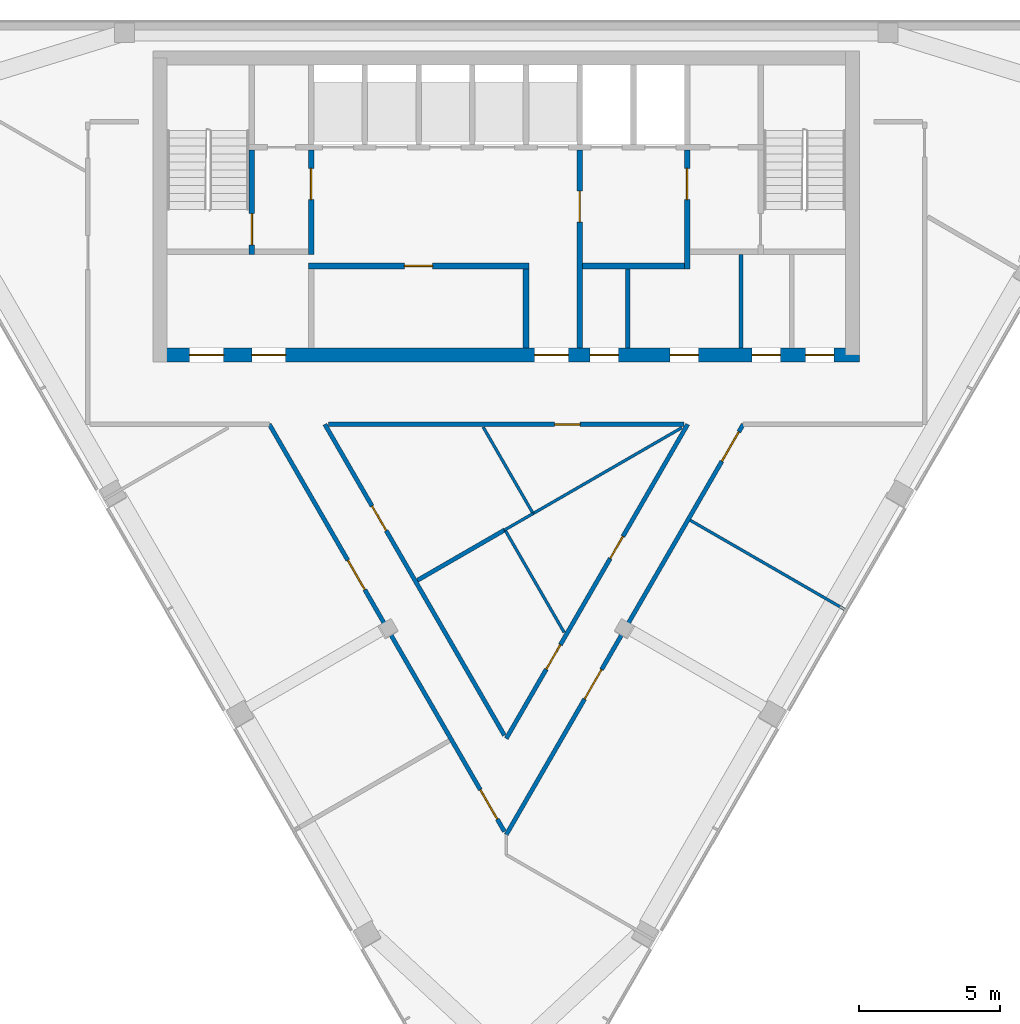
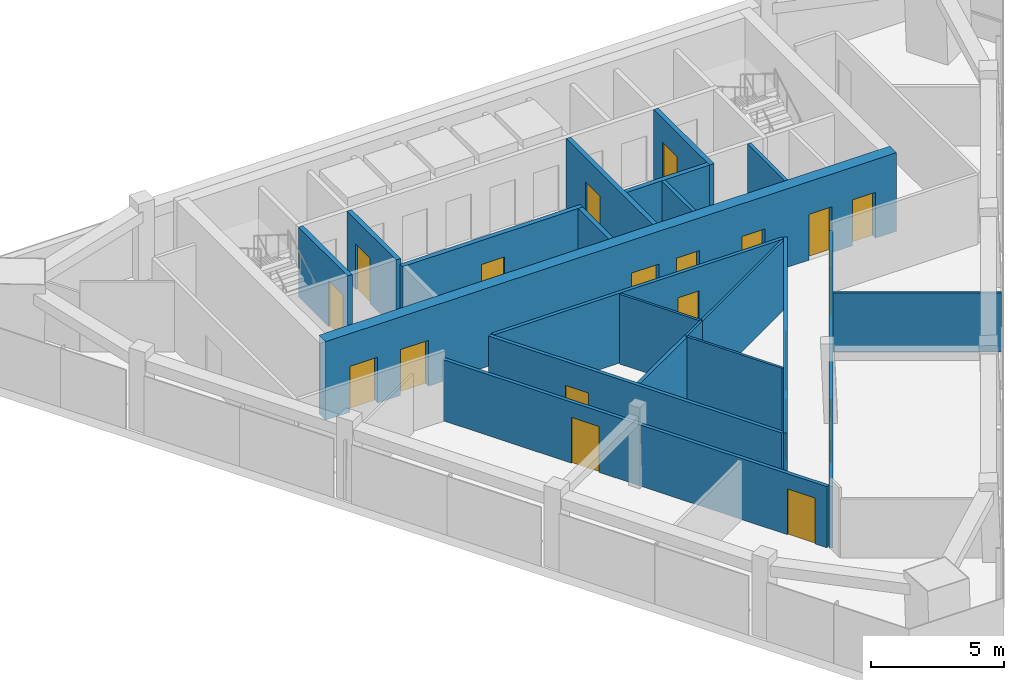
# One storey, part 6 of 9: 21 walls, 20 doors, 20 openings.
"""IFC4 building model written with IfcOpenShell, lengths in metres."""

from ifc_helpers import new_model, si_unit, direction, frame, frame_2d, origin, place, context, subcontext, project, spatial, rectangle, extrude, material, layer, layer_set, type_object, element, fill, save


model = new_model("IFC4")

# Units and contexts
model_context = context("Model", 3, precision=1e-05, world=origin(), true_north=direction((0.0, 1.0)))
body_context = subcontext(model_context, "Body", "Model", "MODEL_VIEW")
ifc_project = project(units=[si_unit("LENGTHUNIT", "METRE"), si_unit("AREAUNIT", "SQUARE_METRE"), si_unit("VOLUMEUNIT", "CUBIC_METRE"), si_unit("PLANEANGLEUNIT", "RADIAN"), si_unit("MASSUNIT", "GRAM", prefix="KILO")], contexts=[model_context])

# Site, building, storey
site_placement = place(None, origin())
site = spatial("IfcSite", under=ifc_project, at=site_placement, CompositionType="ELEMENT")
building_placement = place(site_placement, origin())
building = spatial("IfcBuilding", under=site, at=building_placement, Name="Altiplano Prism Tower", CompositionType="ELEMENT")
storey_placement = place(building_placement, frame((0.0, 0.0, 302.199951171875)))
storey = spatial("IfcBuildingStorey", under=building, at=storey_placement, Name="L78", CompositionType="ELEMENT", Elevation=302.199951171875)

# Wall, openings, doors
ifc_material_1 = material(Name="Concrete C60/75", Category="concrete")
ifc_layer_1 = layer(ifc_material_1, 0.5)
ifc_layer_set_1 = layer_set([ifc_layer_1], Name="Concrete C60/75")
wall_type_1 = type_object("IfcWallType", Name="Core wall 500", PredefinedType="SHEAR", material=ifc_layer_set_1)
wall_1_placement = place(storey_placement, frame((72.75, 93.14990234375, 0.0), z_axis=(0.0, 0.0, 1.0), x_axis=(1.0, 0.0, 0.0)))
wall_1 = element("IfcWall", 1, at=wall_1_placement, inside=storey, type_object=wall_type_1, Name="Core wall S L78", PredefinedType="SHEAR", context=body_context, shape_type="SweptSolid", body=[
    extrude(rectangle(XDim=24.75, YDim=0.5, at=frame_2d((12.375, 0.0))), origin(), (0.0, 0.0, 1.0), 3.60009765625),
])
opening_1_placement = place(wall_1_placement, frame((1.050048828125, 0.0, 0.0)))
opening_1 = element("IfcOpeningElement", 2, at=opening_1_placement, cuts=wall_1, Name="Opening D3683", PredefinedType="OPENING", context=body_context, shape_type="SweptSolid", body=[
    extrude(rectangle(XDim=1.199951171875, YDim=2.10009765625, at=frame_2d((0.60009765625, 1.050048828125))), frame((0.0, 0.260498046875, 0.0), z_axis=(0.0, -1.0, 0.0), x_axis=(1.0, 0.0, 0.0)), (0.0, 0.0, 1.0), 0.52099609375),
])
opening_2_placement = place(wall_1_placement, frame((3.25, 0.0, 0.0)))
opening_2 = element("IfcOpeningElement", 3, at=opening_2_placement, cuts=wall_1, Name="Opening D3684", PredefinedType="OPENING", context=body_context, shape_type="SweptSolid", body=[
    extrude(rectangle(XDim=1.199951171875, YDim=2.10009765625, at=frame_2d((0.60009765625, 1.050048828125))), frame((0.0, 0.260498046875, 0.0), z_axis=(0.0, -1.0, 0.0), x_axis=(1.0, 0.0, 0.0)), (0.0, 0.0, 1.0), 0.52099609375),
])
opening_3_placement = place(wall_1_placement, frame((13.25, 0.0, 0.0)))
opening_3 = element("IfcOpeningElement", 4, at=opening_3_placement, cuts=wall_1, Name="Opening D3685", PredefinedType="OPENING", context=body_context, shape_type="SweptSolid", body=[
    extrude(rectangle(XDim=1.199951171875, YDim=2.10009765625, at=frame_2d((0.60009765625, 1.050048828125))), frame((0.0, 0.260498046875, 0.0), z_axis=(0.0, -1.0, 0.0), x_axis=(1.0, 0.0, 0.0)), (0.0, 0.0, 1.0), 0.52099609375),
])
opening_4_placement = place(wall_1_placement, frame((15.21240234375, 0.0, 0.0)))
opening_4 = element("IfcOpeningElement", 5, at=opening_4_placement, cuts=wall_1, Name="Opening D3688", PredefinedType="OPENING", context=body_context, shape_type="SweptSolid", body=[
    extrude(rectangle(XDim=1.0, YDim=2.10009765625, at=frame_2d((0.5, 1.050048828125))), frame((0.0, 0.260498046875, 0.0), z_axis=(0.0, -1.0, 0.0), x_axis=(1.0, 0.0, 0.0)), (0.0, 0.0, 1.0), 0.52099609375),
])
opening_5_placement = place(wall_1_placement, frame((18.050048828125, 0.0, 0.0)))
opening_5 = element("IfcOpeningElement", 6, at=opening_5_placement, cuts=wall_1, Name="Opening D3689", PredefinedType="OPENING", context=body_context, shape_type="SweptSolid", body=[
    extrude(rectangle(XDim=1.0, YDim=2.10009765625, at=frame_2d((0.5, 1.050048828125))), frame((0.0, 0.260498046875, 0.0), z_axis=(0.0, -1.0, 0.0), x_axis=(1.0, 0.0, 0.0)), (0.0, 0.0, 1.0), 0.52099609375),
])
opening_6_placement = place(wall_1_placement, frame((20.949951171875, 0.0, 0.0)))
opening_6 = element("IfcOpeningElement", 7, at=opening_6_placement, cuts=wall_1, Name="Opening D3690", PredefinedType="OPENING", context=body_context, shape_type="SweptSolid", body=[
    extrude(rectangle(XDim=1.0, YDim=2.10009765625, at=frame_2d((0.5, 1.050048828125))), frame((0.0, 0.260498046875, 0.0), z_axis=(0.0, -1.0, 0.0), x_axis=(1.0, 0.0, 0.0)), (0.0, 0.0, 1.0), 0.52099609375),
])
opening_7_placement = place(wall_1_placement, frame((22.83740234375, 0.0, 0.0)))
opening_7 = element("IfcOpeningElement", 8, at=opening_7_placement, cuts=wall_1, Name="Opening D3691", PredefinedType="OPENING", context=body_context, shape_type="SweptSolid", body=[
    extrude(rectangle(XDim=1.0, YDim=2.10009765625, at=frame_2d((0.5, 1.050048828125))), frame((0.0, 0.260498046875, 0.0), z_axis=(0.0, -1.0, 0.0), x_axis=(1.0, 0.0, 0.0)), (0.0, 0.0, 1.0), 0.52099609375),
])
ifc_material_2 = material(Name="Fire-rated steel door", Category="steel")
door_type_1 = type_object("IfcDoorType", Name="Core room door 1000 x 2100", OperationType="NOTDEFINED", PredefinedType="NOTDEFINED", material=ifc_material_2)
door_1_placement = place(opening_4_placement, origin())
door_1 = element("IfcDoor", 9, at=door_1_placement, inside=storey, type_object=door_type_1, Name="Core room door D3688", OperationType="SINGLE_SWING_RIGHT", OverallHeight=2.10009765625, OverallWidth=1.0, PredefinedType="NOTDEFINED", context=body_context, shape_type="SweptSolid", body=[
    extrude(rectangle(XDim=1.0, YDim=2.10009765625, at=frame_2d((0.5, 1.050048828125))), frame((0.0, 0.02490234375, 0.0), z_axis=(0.0, -1.0, 0.0), x_axis=(1.0, 0.0, 0.0)), (0.0, 0.0, 1.0), 0.050048828125),
])
fill(opening_4, door_1)
door_2_placement = place(opening_5_placement, origin())
door_2 = element("IfcDoor", 10, at=door_2_placement, inside=storey, type_object=door_type_1, Name="Core room door D3689", OperationType="SINGLE_SWING_LEFT", OverallHeight=2.10009765625, OverallWidth=1.0, PredefinedType="NOTDEFINED", context=body_context, shape_type="SweptSolid", body=[
    extrude(rectangle(XDim=1.0, YDim=2.10009765625, at=frame_2d((0.5, 1.050048828125))), frame((0.0, 0.02490234375, 0.0), z_axis=(0.0, -1.0, 0.0), x_axis=(1.0, 0.0, 0.0)), (0.0, 0.0, 1.0), 0.050048828125),
])
fill(opening_5, door_2)
door_3_placement = place(opening_6_placement, origin())
door_3 = element("IfcDoor", 11, at=door_3_placement, inside=storey, type_object=door_type_1, Name="Core room door D3690", OperationType="SINGLE_SWING_RIGHT", OverallHeight=2.10009765625, OverallWidth=1.0, PredefinedType="NOTDEFINED", context=body_context, shape_type="SweptSolid", body=[
    extrude(rectangle(XDim=1.0, YDim=2.10009765625, at=frame_2d((0.5, 1.050048828125))), frame((0.0, 0.02490234375, 0.0), z_axis=(0.0, -1.0, 0.0), x_axis=(1.0, 0.0, 0.0)), (0.0, 0.0, 1.0), 0.050048828125),
])
fill(opening_6, door_3)
door_4_placement = place(opening_7_placement, origin())
door_4 = element("IfcDoor", 12, at=door_4_placement, inside=storey, type_object=door_type_1, Name="Core room door D3691", OperationType="SINGLE_SWING_LEFT", OverallHeight=2.10009765625, OverallWidth=1.0, PredefinedType="NOTDEFINED", context=body_context, shape_type="SweptSolid", body=[
    extrude(rectangle(XDim=1.0, YDim=2.10009765625, at=frame_2d((0.5, 1.050048828125))), frame((0.0, 0.02490234375, 0.0), z_axis=(0.0, -1.0, 0.0), x_axis=(1.0, 0.0, 0.0)), (0.0, 0.0, 1.0), 0.050048828125),
])
fill(opening_7, door_4)
door_type_2 = type_object("IfcDoorType", Name="Lobby fire door 1200 x 2100", OperationType="NOTDEFINED", PredefinedType="NOTDEFINED", material=ifc_material_2)
door_5_placement = place(opening_1_placement, origin())
door_5 = element("IfcDoor", 13, at=door_5_placement, inside=storey, type_object=door_type_2, Name="Lobby fire door D3683", OperationType="SINGLE_SWING_RIGHT", OverallHeight=2.10009765625, OverallWidth=1.199951171875, PredefinedType="NOTDEFINED", context=body_context, shape_type="SweptSolid", body=[
    extrude(rectangle(XDim=1.199951171875, YDim=2.10009765625, at=frame_2d((0.60009765625, 1.050048828125))), frame((0.0, 0.02490234375, 0.0), z_axis=(0.0, -1.0, 0.0), x_axis=(1.0, 0.0, 0.0)), (0.0, 0.0, 1.0), 0.050048828125),
])
fill(opening_1, door_5)
door_6_placement = place(opening_2_placement, origin())
door_6 = element("IfcDoor", 14, at=door_6_placement, inside=storey, type_object=door_type_2, Name="Lobby fire door D3684", OperationType="SINGLE_SWING_LEFT", OverallHeight=2.10009765625, OverallWidth=1.199951171875, PredefinedType="NOTDEFINED", context=body_context, shape_type="SweptSolid", body=[
    extrude(rectangle(XDim=1.199951171875, YDim=2.10009765625, at=frame_2d((0.60009765625, 1.050048828125))), frame((0.0, 0.02490234375, 0.0), z_axis=(0.0, -1.0, 0.0), x_axis=(1.0, 0.0, 0.0)), (0.0, 0.0, 1.0), 0.050048828125),
])
fill(opening_2, door_6)
door_7_placement = place(opening_3_placement, origin())
door_7 = element("IfcDoor", 15, at=door_7_placement, inside=storey, type_object=door_type_2, Name="Lobby fire door D3685", OperationType="SINGLE_SWING_RIGHT", OverallHeight=2.10009765625, OverallWidth=1.199951171875, PredefinedType="NOTDEFINED", context=body_context, shape_type="SweptSolid", body=[
    extrude(rectangle(XDim=1.199951171875, YDim=2.10009765625, at=frame_2d((0.60009765625, 1.050048828125))), frame((0.0, 0.02490234375, 0.0), z_axis=(0.0, -1.0, 0.0), x_axis=(1.0, 0.0, 0.0)), (0.0, 0.0, 1.0), 0.050048828125),
])
fill(opening_3, door_7)

# Walls
ifc_material_3 = material(Name="Plasterboard on steel stud", Category="steel")
ifc_layer_2 = layer(ifc_material_3, 0.10009765625)
ifc_layer_set_2 = layer_set([ifc_layer_2], Name="Plasterboard on steel stud")
wall_type_2 = type_object("IfcWallType", Name="Partition 100 wet", PredefinedType="PARTITIONING", material=ifc_layer_set_2)
wall_2_placement = place(storey_placement, frame((85.932373046875, 87.532470703125, 0.0), z_axis=(0.0, 0.0, 1.0), x_axis=(0.866021535541, 0.500006699934, 0.0)))
element("IfcWall", 16, at=wall_2_placement, inside=storey, type_object=wall_type_2, Name="Partition P03 L78 012", PredefinedType="PARTITIONING", context=body_context, shape_type="SweptSolid", body=[
    extrude(rectangle(XDim=6.0966796875, YDim=0.10009765625, at=frame_2d((3.04833984375, 0.0))), origin(), (0.0, 0.0, 1.0), 3.199951171875),
])
wall_3_placement = place(storey_placement, frame((84.18505859375, 90.59912109375, 0.0), z_axis=(0.0, 0.0, 1.0), x_axis=(0.499977931934, -0.866038144413, 0.0)))
element("IfcWall", 17, at=wall_3_placement, inside=storey, type_object=wall_type_2, Name="Partition P03 L78 013", PredefinedType="PARTITIONING", context=body_context, shape_type="SweptSolid", body=[
    extrude(rectangle(XDim=3.529541015625, YDim=0.10009765625, at=frame_2d((1.7646484375, 0.0))), origin(), (0.0, 0.0, 1.0), 3.199951171875),
])
wall_4_placement = place(storey_placement, frame((85.94970703125, 87.54248046875, 0.0), z_axis=(0.0, 0.0, 1.0), x_axis=(-0.866001535283, -0.500041339179, 0.0)))
element("IfcWall", 18, at=wall_4_placement, inside=storey, type_object=wall_type_2, Name="Partition P03 L78 014", PredefinedType="PARTITIONING", context=body_context, shape_type="SweptSolid", body=[
    extrude(rectangle(XDim=1.1708984375, YDim=0.10009765625, at=frame_2d((0.58544921875, 0.0))), origin(), (0.0, 0.0, 1.0), 3.199951171875),
])
wall_5_placement = place(storey_placement, frame((84.953125, 86.967041015625, 0.0), z_axis=(0.0, 0.0, 1.0), x_axis=(0.49998952364, -0.866031452229, 0.0)))
element("IfcWall", 19, at=wall_5_placement, inside=storey, type_object=wall_type_2, Name="Partition P03 L78 015", PredefinedType="PARTITIONING", context=body_context, shape_type="SweptSolid", body=[
    extrude(rectangle(XDim=4.19384765625, YDim=0.10009765625, at=frame_2d((2.096923828125, 0.0))), origin(), (0.0, 0.0, 1.0), 3.199951171875),
])
wall_6_placement = place(storey_placement, frame((96.985107421875, 84.14111328125, 0.0), z_axis=(0.0, 0.0, 1.0), x_axis=(-0.866032601554, 0.49998753289, 0.0)))
element("IfcWall", 20, at=wall_6_placement, inside=storey, type_object=wall_type_2, Name="Partition P03 L78 022", PredefinedType="PARTITIONING", context=body_context, shape_type="SweptSolid", body=[
    extrude(rectangle(XDim=6.324951171875, YDim=0.10009765625, at=frame_2d((3.16259765625, 0.0))), origin(), (0.0, 0.0, 1.0), 2.699951171875),
])

# Wall, opening, door
ifc_layer_3 = layer(ifc_material_3, 0.14990234375)
ifc_layer_set_3 = layer_set([ifc_layer_3], Name="Plasterboard on steel stud")
wall_type_3 = type_object("IfcWallType", Name="Partition 150 corridor", PredefinedType="PARTITIONING", material=ifc_layer_set_3)
wall_7_placement = place(storey_placement, frame((78.712646484375, 90.698974609375, 0.0), z_axis=(0.0, 0.0, 1.0), x_axis=(1.0, 0.0, 0.0)))
wall_7 = element("IfcWall", 21, at=wall_7_placement, inside=storey, type_object=wall_type_3, Name="Partition P06 L78 001", PredefinedType="PARTITIONING", context=body_context, shape_type="SweptSolid", body=[
    extrude(rectangle(XDim=12.57470703125, YDim=0.14990234375, at=frame_2d((6.287353515625, 0.0))), origin(), (0.0, 0.0, 1.0), 3.199951171875),
])
opening_8_placement = place(wall_7_placement, frame((8.001953125, 0.0, 0.0)))
opening_8 = element("IfcOpeningElement", 22, at=opening_8_placement, cuts=wall_7, Name="Opening D2359", PredefinedType="OPENING", context=body_context, shape_type="SweptSolid", body=[
    extrude(rectangle(XDim=0.89990234375, YDim=2.10009765625, at=frame_2d((0.449951171875, 1.050048828125))), frame((0.0, 0.08544921875, 0.0), z_axis=(0.0, -1.0, 0.0), x_axis=(1.0, 0.0, 0.0)), (0.0, 0.0, 1.0), 0.1708984375),
])
ifc_material_4 = material(Name="Timber", Category="wood")
door_type_3 = type_object("IfcDoorType", Name="Toilet door 900 x 2100", OperationType="NOTDEFINED", PredefinedType="NOTDEFINED", material=ifc_material_4)
door_8_placement = place(opening_8_placement, origin())
door_8 = element("IfcDoor", 23, at=door_8_placement, inside=storey, type_object=door_type_3, Name="Door D2359", OperationType="SINGLE_SWING_RIGHT", OverallHeight=2.10009765625, OverallWidth=0.89990234375, PredefinedType="NOTDEFINED", context=body_context, shape_type="SweptSolid", body=[
    extrude(rectangle(XDim=0.89990234375, YDim=2.10009765625, at=frame_2d((0.449951171875, 1.050048828125))), frame((0.0, 0.02490234375, 0.0), z_axis=(0.0, -1.0, 0.0), x_axis=(1.0, 0.0, 0.0)), (0.0, 0.0, 1.0), 0.050048828125),
])
fill(opening_8, door_8)

# Wall, openings, doors
wall_8_placement = place(storey_placement, frame((91.417236328125, 90.698974609375, 0.0), z_axis=(0.0, 0.0, 1.0), x_axis=(-0.500007870251, -0.866020859845, 0.0)))
wall_8 = element("IfcWall", 24, at=wall_8_placement, inside=storey, type_object=wall_type_3, Name="Partition P06 L78 002", PredefinedType="PARTITIONING", context=body_context, shape_type="SweptSolid", body=[
    extrude(rectangle(XDim=12.834228515625, YDim=0.14990234375, at=frame_2d((6.4169921875, 0.0))), origin(), (0.0, 0.0, 1.0), 3.199951171875),
])
opening_9_placement = place(wall_8_placement, frame((4.577880859375, 0.0, 0.0)))
opening_9 = element("IfcOpeningElement", 25, at=opening_9_placement, cuts=wall_8, Name="Opening D2360", PredefinedType="OPENING", context=body_context, shape_type="SweptSolid", body=[
    extrude(rectangle(XDim=0.89990234375, YDim=2.10009765625, at=frame_2d((0.449951171875, 1.050048828125))), frame((0.0, 0.08544921875, 0.0), z_axis=(0.0, -1.0, 0.0), x_axis=(1.0, 0.0, 0.0)), (0.0, 0.0, 1.0), 0.1708984375),
])
opening_10_placement = place(wall_8_placement, frame((9.006103515625, 0.0, 0.0)))
opening_10 = element("IfcOpeningElement", 26, at=opening_10_placement, cuts=wall_8, Name="Opening D2369", PredefinedType="OPENING", context=body_context, shape_type="SweptSolid", body=[
    extrude(rectangle(XDim=1.0, YDim=2.10009765625, at=frame_2d((0.5, 1.050048828125))), frame((0.0, 0.08544921875, 0.0), z_axis=(0.0, -1.0, 0.0), x_axis=(1.0, 0.0, 0.0)), (0.0, 0.0, 1.0), 0.1708984375),
])
door_type_4 = type_object("IfcDoorType", Name="Room door 1000 x 2100", OperationType="NOTDEFINED", PredefinedType="NOTDEFINED", material=ifc_material_4)
door_9_placement = place(opening_10_placement, origin())
door_9 = element("IfcDoor", 27, at=door_9_placement, inside=storey, type_object=door_type_4, Name="Door D2369", OperationType="SINGLE_SWING_LEFT", OverallHeight=2.10009765625, OverallWidth=1.0, PredefinedType="NOTDEFINED", context=body_context, shape_type="SweptSolid", body=[
    extrude(rectangle(XDim=1.0, YDim=2.10009765625, at=frame_2d((0.5, 1.050048828125))), frame((0.0, 0.02490234375, 0.0), z_axis=(0.0, -1.0, 0.0), x_axis=(1.0, 0.0, 0.0)), (0.0, 0.0, 1.0), 0.050048828125),
])
fill(opening_10, door_9)
door_10_placement = place(opening_9_placement, origin())
door_10 = element("IfcDoor", 28, at=door_10_placement, inside=storey, type_object=door_type_3, Name="Door D2360", OperationType="SINGLE_SWING_RIGHT", OverallHeight=2.10009765625, OverallWidth=0.89990234375, PredefinedType="NOTDEFINED", context=body_context, shape_type="SweptSolid", body=[
    extrude(rectangle(XDim=0.89990234375, YDim=2.10009765625, at=frame_2d((0.449951171875, 1.050048828125))), frame((0.0, 0.02490234375, 0.0), z_axis=(0.0, -1.0, 0.0), x_axis=(1.0, 0.0, 0.0)), (0.0, 0.0, 1.0), 0.050048828125),
])
fill(opening_9, door_10)

wall_9_placement = place(storey_placement, frame((76.6181640625, 90.699951171875, 0.0), z_axis=(0.0, 0.0, 1.0), x_axis=(0.500000272083, -0.866025246697, 0.0)))
wall_9 = element("IfcWall", 29, at=wall_9_placement, inside=storey, type_object=wall_type_3, Name="Partition P06 L78 005", PredefinedType="PARTITIONING", context=body_context, shape_type="SweptSolid", body=[
    extrude(rectangle(XDim=16.6337890625, YDim=0.14990234375, at=frame_2d((8.31689453125, 0.0))), origin(), (0.0, 0.0, 1.0), 2.800048828125),
])
opening_11_placement = place(wall_9_placement, frame((5.553955078125, 0.0, 0.0)))
opening_11 = element("IfcOpeningElement", 30, at=opening_11_placement, cuts=wall_9, Name="Opening D2362", PredefinedType="OPENING", context=body_context, shape_type="SweptSolid", body=[
    extrude(rectangle(XDim=1.199951171875, YDim=2.10009765625, at=frame_2d((0.60009765625, 1.050048828125))), frame((0.0, 0.08544921875, 0.0), z_axis=(0.0, -1.0, 0.0), x_axis=(1.0, 0.0, 0.0)), (0.0, 0.0, 1.0), 0.1708984375),
])
opening_12_placement = place(wall_9_placement, frame((14.927978515625, 0.0, 0.0)))
opening_12 = element("IfcOpeningElement", 31, at=opening_12_placement, cuts=wall_9, Name="Opening D2363", PredefinedType="OPENING", context=body_context, shape_type="SweptSolid", body=[
    extrude(rectangle(XDim=1.199951171875, YDim=2.10009765625, at=frame_2d((0.60009765625, 1.050048828125))), frame((0.0, 0.08544921875, 0.0), z_axis=(0.0, -1.0, 0.0), x_axis=(1.0, 0.0, 0.0)), (0.0, 0.0, 1.0), 0.1708984375),
])
door_type_5 = type_object("IfcDoorType", Name="Shared room door 1200 x 2100", OperationType="NOTDEFINED", PredefinedType="NOTDEFINED", material=ifc_material_4)
door_11_placement = place(opening_11_placement, origin())
door_11 = element("IfcDoor", 32, at=door_11_placement, inside=storey, type_object=door_type_5, Name="Door D2362", OperationType="SINGLE_SWING_RIGHT", OverallHeight=2.10009765625, OverallWidth=1.199951171875, PredefinedType="NOTDEFINED", context=body_context, shape_type="SweptSolid", body=[
    extrude(rectangle(XDim=1.199951171875, YDim=2.10009765625, at=frame_2d((0.60009765625, 1.050048828125))), frame((0.0, 0.02490234375, 0.0), z_axis=(0.0, -1.0, 0.0), x_axis=(1.0, 0.0, 0.0)), (0.0, 0.0, 1.0), 0.050048828125),
])
fill(opening_11, door_11)
door_12_placement = place(opening_12_placement, origin())
door_12 = element("IfcDoor", 33, at=door_12_placement, inside=storey, type_object=door_type_5, Name="Door D2363", OperationType="SINGLE_SWING_RIGHT", OverallHeight=2.10009765625, OverallWidth=1.199951171875, PredefinedType="NOTDEFINED", context=body_context, shape_type="SweptSolid", body=[
    extrude(rectangle(XDim=1.199951171875, YDim=2.10009765625, at=frame_2d((0.60009765625, 1.050048828125))), frame((0.0, 0.02490234375, 0.0), z_axis=(0.0, -1.0, 0.0), x_axis=(1.0, 0.0, 0.0)), (0.0, 0.0, 1.0), 0.050048828125),
])
fill(opening_12, door_12)

wall_10_placement = place(storey_placement, frame((85.0, 76.18212890625, 0.0), z_axis=(0.0, 0.0, 1.0), x_axis=(0.499998539005, 0.866026247289, 0.0)))
wall_10 = element("IfcWall", 34, at=wall_10_placement, inside=storey, type_object=wall_type_3, Name="Partition P06 L78 006", PredefinedType="PARTITIONING", context=body_context, shape_type="SweptSolid", body=[
    extrude(rectangle(XDim=16.763671875, YDim=0.14990234375, at=frame_2d((8.3818359375, 0.0))), origin(), (0.0, 0.0, 1.0), 2.800048828125),
])
opening_13_placement = place(wall_10_placement, frame((5.54296875, 0.0, 0.0)))
opening_13 = element("IfcOpeningElement", 35, at=opening_13_placement, cuts=wall_10, Name="Opening D2364", PredefinedType="OPENING", context=body_context, shape_type="SweptSolid", body=[
    extrude(rectangle(XDim=1.199951171875, YDim=2.10009765625, at=frame_2d((0.60009765625, 1.050048828125))), frame((0.0, 0.08544921875, 0.0), z_axis=(0.0, -1.0, 0.0), x_axis=(1.0, 0.0, 0.0)), (0.0, 0.0, 1.0), 0.1708984375),
])
opening_14_placement = place(wall_10_placement, frame((15.25390625, 0.0, 0.0)))
opening_14 = element("IfcOpeningElement", 36, at=opening_14_placement, cuts=wall_10, Name="Opening D2365", PredefinedType="OPENING", context=body_context, shape_type="SweptSolid", body=[
    extrude(rectangle(XDim=1.199951171875, YDim=2.10009765625, at=frame_2d((0.60009765625, 1.050048828125))), frame((0.0, 0.08544921875, 0.0), z_axis=(0.0, -1.0, 0.0), x_axis=(1.0, 0.0, 0.0)), (0.0, 0.0, 1.0), 0.1708984375),
])
door_13_placement = place(opening_13_placement, origin())
door_13 = element("IfcDoor", 37, at=door_13_placement, inside=storey, type_object=door_type_5, Name="Door D2364", OperationType="SINGLE_SWING_LEFT", OverallHeight=2.10009765625, OverallWidth=1.199951171875, PredefinedType="NOTDEFINED", context=body_context, shape_type="SweptSolid", body=[
    extrude(rectangle(XDim=1.199951171875, YDim=2.10009765625, at=frame_2d((0.60009765625, 1.050048828125))), frame((0.0, 0.02490234375, 0.0), z_axis=(0.0, -1.0, 0.0), x_axis=(1.0, 0.0, 0.0)), (0.0, 0.0, 1.0), 0.050048828125),
])
fill(opening_13, door_13)
door_14_placement = place(opening_14_placement, origin())
door_14 = element("IfcDoor", 38, at=door_14_placement, inside=storey, type_object=door_type_5, Name="Door D2365", OperationType="SINGLE_SWING_RIGHT", OverallHeight=2.10009765625, OverallWidth=1.199951171875, PredefinedType="NOTDEFINED", context=body_context, shape_type="SweptSolid", body=[
    extrude(rectangle(XDim=1.199951171875, YDim=2.10009765625, at=frame_2d((0.60009765625, 1.050048828125))), frame((0.0, 0.02490234375, 0.0), z_axis=(0.0, -1.0, 0.0), x_axis=(1.0, 0.0, 0.0)), (0.0, 0.0, 1.0), 0.050048828125),
])
fill(opening_14, door_14)

# Wall, opening, door
wall_11_placement = place(storey_placement, frame((84.93505859375, 79.69677734375, 0.0), z_axis=(0.0, 0.0, 1.0), x_axis=(-0.500010234796, 0.866019494642, 0.0)))
wall_11 = element("IfcWall", 39, at=wall_11_placement, inside=storey, type_object=wall_type_3, Name="Partition P06 L78 011", PredefinedType="PARTITIONING", context=body_context, shape_type="SweptSolid", body=[
    extrude(rectangle(XDim=12.704345703125, YDim=0.14990234375, at=frame_2d((6.35205078125, 0.0))), origin(), (0.0, 0.0, 1.0), 3.199951171875),
])
opening_15_placement = place(wall_11_placement, frame((8.365966796875, 0.0, 0.0)))
opening_15 = element("IfcOpeningElement", 40, at=opening_15_placement, cuts=wall_11, Name="Opening D2368", PredefinedType="OPENING", context=body_context, shape_type="SweptSolid", body=[
    extrude(rectangle(XDim=1.0, YDim=2.10009765625, at=frame_2d((0.5, 1.050048828125))), frame((0.0, 0.08544921875, 0.0), z_axis=(0.0, -1.0, 0.0), x_axis=(1.0, 0.0, 0.0)), (0.0, 0.0, 1.0), 0.1708984375),
])
door_type_6 = type_object("IfcDoorType", Name="Store door 1000 x 2100", OperationType="NOTDEFINED", PredefinedType="NOTDEFINED", material=ifc_material_4)
door_15_placement = place(opening_15_placement, origin())
door_15 = element("IfcDoor", 41, at=door_15_placement, inside=storey, type_object=door_type_6, Name="Door D2368", OperationType="SINGLE_SWING_LEFT", OverallHeight=2.10009765625, OverallWidth=1.0, PredefinedType="NOTDEFINED", context=body_context, shape_type="SweptSolid", body=[
    extrude(rectangle(XDim=1.0, YDim=2.10009765625, at=frame_2d((0.5, 1.050048828125))), frame((0.0, 0.02490234375, 0.0), z_axis=(0.0, -1.0, 0.0), x_axis=(1.0, 0.0, 0.0)), (0.0, 0.0, 1.0), 0.050048828125),
])
fill(opening_15, door_15)

# Walls
ifc_layer_4 = layer(ifc_material_3, 0.14990234375)
ifc_layer_set_4 = layer_set([ifc_layer_4], Name="Plasterboard on steel stud")
wall_type_4 = type_object("IfcWallType", Name="Partition 150 party", PredefinedType="PARTITIONING", material=ifc_layer_set_4)
wall_12_placement = place(storey_placement, frame((81.8564453125, 85.17919921875, 0.0), z_axis=(0.0, 0.0, 1.0), x_axis=(0.866028679985, 0.499994325412, 0.0)))
element("IfcWall", 42, at=wall_12_placement, inside=storey, type_object=wall_type_4, Name="Partition P01 L78 024", PredefinedType="PARTITIONING", context=body_context, shape_type="SweptSolid", body=[
    extrude(rectangle(XDim=3.57568359375, YDim=0.14990234375, at=frame_2d((1.787841796875, 0.0))), origin(), (0.0, 0.0, 1.0), 3.199951171875),
])
ifc_material_5 = material(Name="Fire-rated gypsum board partition")
ifc_layer_5 = layer(ifc_material_5, 0.14990234375)
ifc_layer_set_5 = layer_set([ifc_layer_5], Name="Fire-rated gypsum board partition")
wall_type_5 = type_object("IfcWallType", Name="Room partition 150", PredefinedType="PARTITIONING", material=ifc_layer_set_5)
wall_13_placement = place(storey_placement, frame((89.300048828125, 93.39990234375, 0.0), z_axis=(0.0, 0.0, 1.0), x_axis=(0.0, 1.0, 0.0)))
element("IfcWall", 43, at=wall_13_placement, inside=storey, type_object=wall_type_5, Name="Room partition L78", PredefinedType="PARTITIONING", context=body_context, shape_type="SweptSolid", body=[
    extrude(rectangle(XDim=2.800048828125, YDim=0.14990234375, at=frame_2d((1.39990234375, 0.0))), origin(), (0.0, 0.0, 1.0), 3.199951171875),
])
wall_14_placement = place(storey_placement, frame((93.300048828125, 93.39990234375, 0.0), z_axis=(0.0, 0.0, 1.0), x_axis=(0.0, 1.0, 0.0)))
element("IfcWall", 44, at=wall_14_placement, inside=storey, type_object=wall_type_5, Name="Room partition L78", PredefinedType="PARTITIONING", context=body_context, shape_type="SweptSolid", body=[
    extrude(rectangle(XDim=3.300048828125, YDim=0.14990234375, at=frame_2d((1.64990234375, 0.0))), origin(), (0.0, 0.0, 1.0), 3.199951171875),
])

# Wall, opening, door
ifc_layer_6 = layer(ifc_material_1, 0.199951171875)
ifc_layer_set_6 = layer_set([ifc_layer_6], Name="Concrete C60/75")
wall_type_6 = type_object("IfcWallType", Name="Stair wall 200", PredefinedType="SOLIDWALL", material=ifc_layer_set_6)
wall_15_placement = place(storey_placement, frame((76.0, 96.699951171875, 0.0), z_axis=(0.0, 0.0, 1.0), x_axis=(0.0, 1.0, 0.0)))
wall_15 = element("IfcWall", 45, at=wall_15_placement, inside=storey, type_object=wall_type_6, Name="Stair wall L78", PredefinedType="SOLIDWALL", context=body_context, shape_type="SweptSolid", body=[
    extrude(rectangle(XDim=3.699951171875, YDim=0.199951171875, at=frame_2d((1.85009765625, 0.0))), origin(), (0.0, 0.0, 1.0), 3.199951171875),
])
opening_16_placement = place(wall_15_placement, frame((0.35009765625, 0.0, 0.0)))
opening_16 = element("IfcOpeningElement", 46, at=opening_16_placement, cuts=wall_15, Name="Opening D3678", PredefinedType="OPENING", context=body_context, shape_type="SweptSolid", body=[
    extrude(rectangle(XDim=1.10009765625, YDim=2.10009765625, at=frame_2d((0.550048828125, 1.050048828125))), frame((0.0, 0.1103515625, 0.0), z_axis=(0.0, -1.0, 0.0), x_axis=(1.0, 0.0, 0.0)), (0.0, 0.0, 1.0), 0.220947265625),
])
door_type_7 = type_object("IfcDoorType", Name="Stair fire door 1100 x 2100", OperationType="NOTDEFINED", PredefinedType="NOTDEFINED", material=ifc_material_2)
door_16_placement = place(opening_16_placement, origin())
door_16 = element("IfcDoor", 47, at=door_16_placement, inside=storey, type_object=door_type_7, Name="Stair fire door D3678", OperationType="SINGLE_SWING_RIGHT", OverallHeight=2.10009765625, OverallWidth=1.10009765625, PredefinedType="NOTDEFINED", context=body_context, shape_type="SweptSolid", body=[
    extrude(rectangle(XDim=1.10009765625, YDim=2.10009765625, at=frame_2d((0.550048828125, 1.050048828125))), frame((0.0, 0.02490234375, 0.0), z_axis=(0.0, -1.0, 0.0), x_axis=(1.0, 0.0, 0.0)), (0.0, 0.0, 1.0), 0.050048828125),
])
fill(opening_16, door_16)

# Wall
ifc_layer_7 = layer(ifc_material_1, 0.199951171875)
ifc_layer_set_7 = layer_set([ifc_layer_7], Name="Concrete C60/75")
wall_type_7 = type_object("IfcWallType", Name="Vestibule wall 200", PredefinedType="PARTITIONING", material=ifc_layer_set_7)
wall_16_placement = place(storey_placement, frame((85.699951171875, 93.39990234375, 0.0), z_axis=(0.0, 0.0, 1.0), x_axis=(0.0, 1.0, 0.0)))
element("IfcWall", 48, at=wall_16_placement, inside=storey, type_object=wall_type_7, Name="Vestibule wall L78", PredefinedType="PARTITIONING", context=body_context, shape_type="SweptSolid", body=[
    extrude(rectangle(XDim=2.800048828125, YDim=0.199951171875, at=frame_2d((1.39990234375, 0.0))), origin(), (0.0, 0.0, 1.0), 3.199951171875),
])

# Wall, opening, door
wall_17_placement = place(storey_placement, frame((87.60009765625, 93.39990234375, 0.0), z_axis=(0.0, 0.0, 1.0), x_axis=(0.0, 1.0, 0.0)))
wall_17 = element("IfcWall", 49, at=wall_17_placement, inside=storey, type_object=wall_type_7, Name="Vestibule wall L78", PredefinedType="PARTITIONING", context=body_context, shape_type="SweptSolid", body=[
    extrude(rectangle(XDim=7.0, YDim=0.199951171875, at=frame_2d((3.5, 0.0))), origin(), (0.0, 0.0, 1.0), 3.199951171875),
])
opening_17_placement = place(wall_17_placement, frame((4.449951171875, 0.0, 0.0)))
opening_17 = element("IfcOpeningElement", 50, at=opening_17_placement, cuts=wall_17, Name="Opening D3681", PredefinedType="OPENING", context=body_context, shape_type="SweptSolid", body=[
    extrude(rectangle(XDim=1.10009765625, YDim=2.10009765625, at=frame_2d((0.550048828125, 1.050048828125))), frame((0.0, 0.1103515625, 0.0), z_axis=(0.0, -1.0, 0.0), x_axis=(1.0, 0.0, 0.0)), (0.0, 0.0, 1.0), 0.220947265625),
])
door_type_8 = type_object("IfcDoorType", Name="Vestibule fire door 1100 x 2100", OperationType="NOTDEFINED", PredefinedType="NOTDEFINED", material=ifc_material_2)
door_17_placement = place(opening_17_placement, origin())
door_17 = element("IfcDoor", 51, at=door_17_placement, inside=storey, type_object=door_type_8, Name="Vestibule fire door D3681", OperationType="SINGLE_SWING_RIGHT", OverallHeight=2.10009765625, OverallWidth=1.10009765625, PredefinedType="NOTDEFINED", context=body_context, shape_type="SweptSolid", body=[
    extrude(rectangle(XDim=1.10009765625, YDim=2.10009765625, at=frame_2d((0.550048828125, 1.050048828125))), frame((0.0, 0.02490234375, 0.0), z_axis=(0.0, -1.0, 0.0), x_axis=(1.0, 0.0, 0.0)), (0.0, 0.0, 1.0), 0.050048828125),
])
fill(opening_17, door_17)

wall_18_placement = place(storey_placement, frame((78.0, 96.300048828125, 0.0), z_axis=(0.0, 0.0, 1.0), x_axis=(1.0, 0.0, 0.0)))
wall_18 = element("IfcWall", 52, at=wall_18_placement, inside=storey, type_object=wall_type_7, Name="Vestibule wall L78", PredefinedType="PARTITIONING", context=body_context, shape_type="SweptSolid", body=[
    extrude(rectangle(XDim=7.800048828125, YDim=0.199951171875, at=frame_2d((3.89990234375, 0.0))), origin(), (0.0, 0.0, 1.0), 3.199951171875),
])
opening_18_placement = place(wall_18_placement, frame((3.39990234375, 0.0, 0.0)))
opening_18 = element("IfcOpeningElement", 53, at=opening_18_placement, cuts=wall_18, Name="Opening D3692", PredefinedType="OPENING", context=body_context, shape_type="SweptSolid", body=[
    extrude(rectangle(XDim=1.0, YDim=2.10009765625, at=frame_2d((0.5, 1.050048828125))), frame((0.0, 0.1103515625, 0.0), z_axis=(0.0, -1.0, 0.0), x_axis=(1.0, 0.0, 0.0)), (0.0, 0.0, 1.0), 0.220947265625),
])
door_18_placement = place(opening_18_placement, origin())
door_18 = element("IfcDoor", 54, at=door_18_placement, inside=storey, type_object=door_type_1, Name="Core room door D3692", OperationType="SINGLE_SWING_RIGHT", OverallHeight=2.10009765625, OverallWidth=1.0, PredefinedType="NOTDEFINED", context=body_context, shape_type="SweptSolid", body=[
    extrude(rectangle(XDim=1.0, YDim=2.10009765625, at=frame_2d((0.5, 1.050048828125))), frame((0.0, 0.02490234375, 0.0), z_axis=(0.0, -1.0, 0.0), x_axis=(1.0, 0.0, 0.0)), (0.0, 0.0, 1.0), 0.050048828125),
])
fill(opening_18, door_18)

# Wall
wall_19_placement = place(storey_placement, frame((87.699951171875, 96.300048828125, 0.0), z_axis=(0.0, 0.0, 1.0), x_axis=(1.0, 0.0, 0.0)))
element("IfcWall", 55, at=wall_19_placement, inside=storey, type_object=wall_type_7, Name="Vestibule wall L78", PredefinedType="PARTITIONING", context=body_context, shape_type="SweptSolid", body=[
    extrude(rectangle(XDim=3.60009765625, YDim=0.199951171875, at=frame_2d((1.800048828125, 0.0))), origin(), (0.0, 0.0, 1.0), 3.199951171875),
])

# Wall, opening, door
wall_20_placement = place(storey_placement, frame((91.39990234375, 96.199951171875, 0.0), z_axis=(0.0, 0.0, 1.0), x_axis=(0.0, 1.0, 0.0)))
wall_20 = element("IfcWall", 56, at=wall_20_placement, inside=storey, type_object=wall_type_7, Name="Vestibule wall L78", PredefinedType="PARTITIONING", context=body_context, shape_type="SweptSolid", body=[
    extrude(rectangle(XDim=4.199951171875, YDim=0.199951171875, at=frame_2d((2.10009765625, 0.0))), origin(), (0.0, 0.0, 1.0), 3.199951171875),
])
opening_19_placement = place(wall_20_placement, frame((2.449951171875, 0.0, 0.0)))
opening_19 = element("IfcOpeningElement", 57, at=opening_19_placement, cuts=wall_20, Name="Opening D3682", PredefinedType="OPENING", context=body_context, shape_type="SweptSolid", body=[
    extrude(rectangle(XDim=1.10009765625, YDim=2.10009765625, at=frame_2d((0.550048828125, 1.050048828125))), frame((0.0, 0.1103515625, 0.0), z_axis=(0.0, -1.0, 0.0), x_axis=(1.0, 0.0, 0.0)), (0.0, 0.0, 1.0), 0.220947265625),
])
door_19_placement = place(opening_19_placement, origin())
door_19 = element("IfcDoor", 58, at=door_19_placement, inside=storey, type_object=door_type_8, Name="Vestibule fire door D3682", OperationType="SINGLE_SWING_LEFT", OverallHeight=2.10009765625, OverallWidth=1.10009765625, PredefinedType="NOTDEFINED", context=body_context, shape_type="SweptSolid", body=[
    extrude(rectangle(XDim=1.10009765625, YDim=2.10009765625, at=frame_2d((0.550048828125, 1.050048828125))), frame((0.0, 0.02490234375, 0.0), z_axis=(0.0, -1.0, 0.0), x_axis=(1.0, 0.0, 0.0)), (0.0, 0.0, 1.0), 0.050048828125),
])
fill(opening_19, door_19)

wall_21_placement = place(storey_placement, frame((78.10009765625, 96.699951171875, 0.0), z_axis=(0.0, 0.0, 1.0), x_axis=(0.0, 1.0, 0.0)))
wall_21 = element("IfcWall", 59, at=wall_21_placement, inside=storey, type_object=wall_type_7, Name="Vestibule wall L78", PredefinedType="PARTITIONING", context=body_context, shape_type="SweptSolid", body=[
    extrude(rectangle(XDim=3.699951171875, YDim=0.199951171875, at=frame_2d((1.85009765625, 0.0))), origin(), (0.0, 0.0, 1.0), 3.199951171875),
])
opening_20_placement = place(wall_21_placement, frame((1.949951171875, 0.0, 0.0)))
opening_20 = element("IfcOpeningElement", 60, at=opening_20_placement, cuts=wall_21, Name="Opening D3680", PredefinedType="OPENING", context=body_context, shape_type="SweptSolid", body=[
    extrude(rectangle(XDim=1.10009765625, YDim=2.10009765625, at=frame_2d((0.550048828125, 1.050048828125))), frame((0.0, 0.1103515625, 0.0), z_axis=(0.0, -1.0, 0.0), x_axis=(1.0, 0.0, 0.0)), (0.0, 0.0, 1.0), 0.220947265625),
])
door_20_placement = place(opening_20_placement, origin())
door_20 = element("IfcDoor", 61, at=door_20_placement, inside=storey, type_object=door_type_8, Name="Vestibule fire door D3680", OperationType="SINGLE_SWING_LEFT", OverallHeight=2.10009765625, OverallWidth=1.10009765625, PredefinedType="NOTDEFINED", context=body_context, shape_type="SweptSolid", body=[
    extrude(rectangle(XDim=1.10009765625, YDim=2.10009765625, at=frame_2d((0.550048828125, 1.050048828125))), frame((0.0, 0.02490234375, 0.0), z_axis=(0.0, -1.0, 0.0), x_axis=(1.0, 0.0, 0.0)), (0.0, 0.0, 1.0), 0.050048828125),
])
fill(opening_20, door_20)

save(model, "model.ifc")
